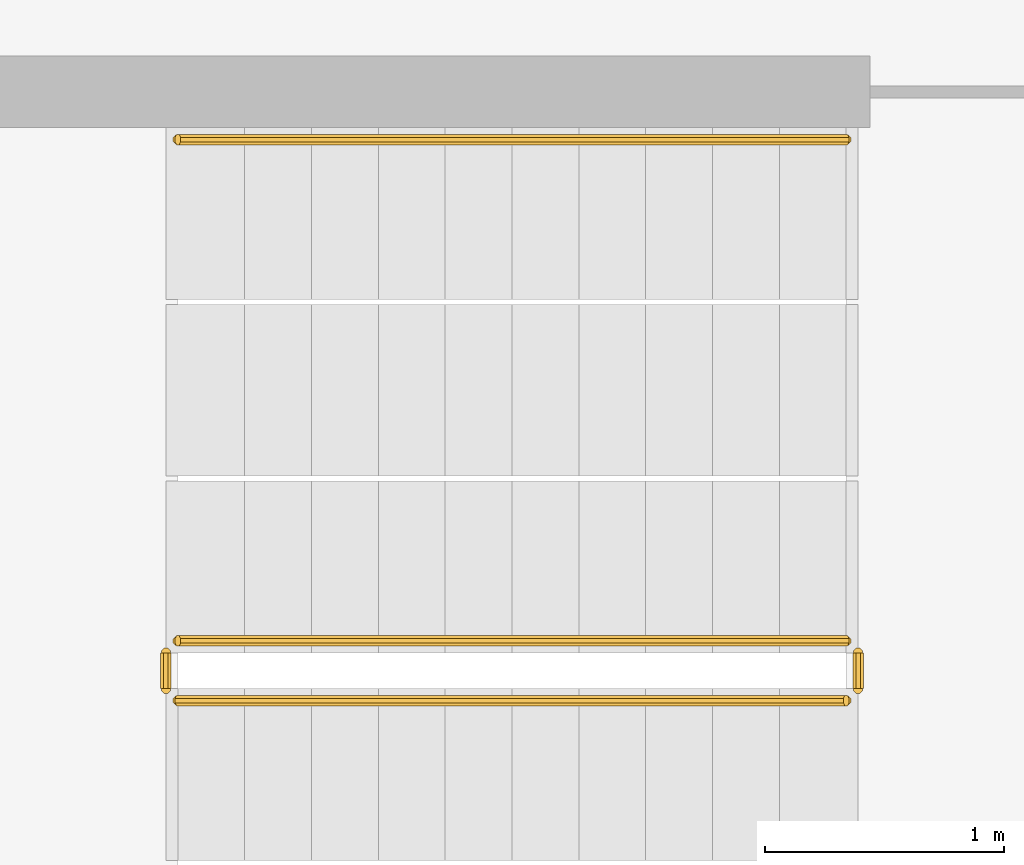
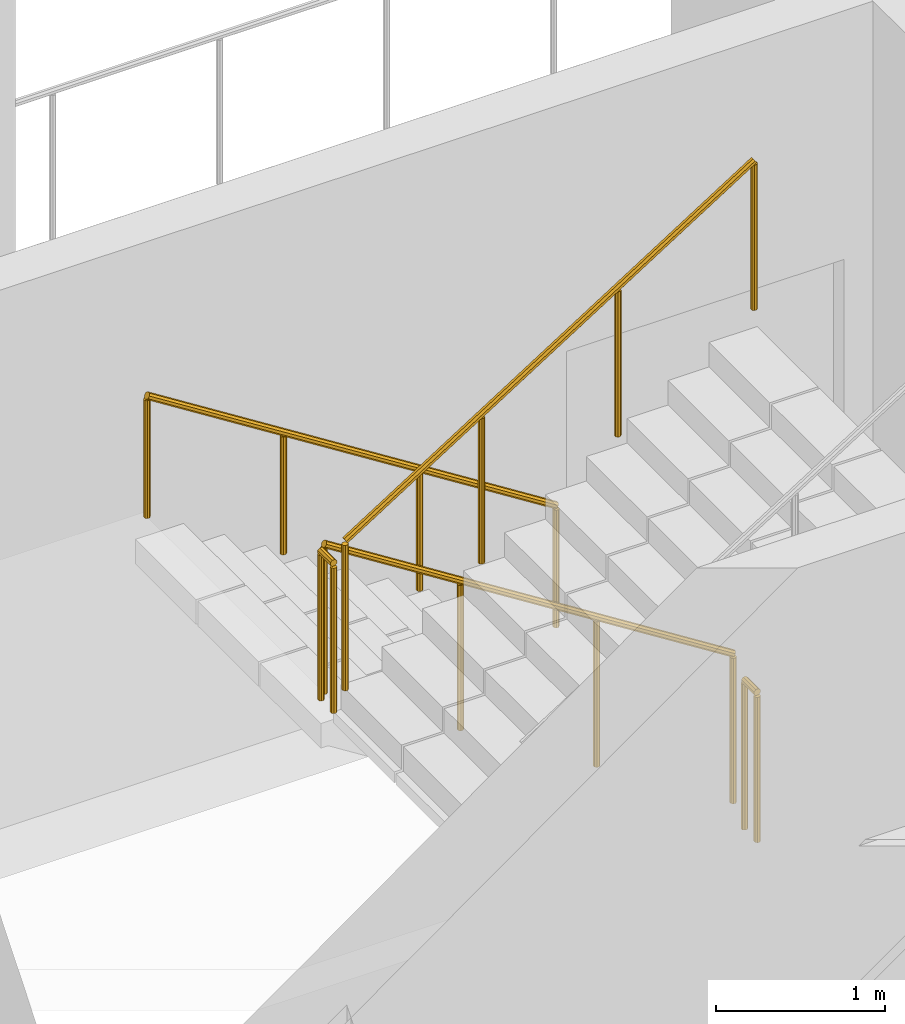
# One storey, part 20 of 27: 5 railings.
"""IFC4 building model written with IfcOpenShell, lengths in metres."""

from ifc_helpers import new_model, si_unit, direction, frame, origin, place, context, subcontext, project, spatial, polyline, outline, extrude, material, type_object, element, save


model = new_model("IFC4")

# Units and contexts
model_context = context("Model", 3, precision=1e-05, world=origin(), true_north=direction((0.0, 1.0)))
body_context = subcontext(model_context, "Body", "Model", "MODEL_VIEW")
ifc_project = project(units=[si_unit("LENGTHUNIT", "METRE"), si_unit("AREAUNIT", "SQUARE_METRE"), si_unit("VOLUMEUNIT", "CUBIC_METRE"), si_unit("PLANEANGLEUNIT", "RADIAN"), si_unit("MASSUNIT", "GRAM", prefix="KILO")], contexts=[model_context])

# Site, building, storey
site_placement = place(None, origin())
site = spatial("IfcSite", under=ifc_project, at=site_placement, CompositionType="ELEMENT")
building_placement = place(site_placement, origin())
building = spatial("IfcBuilding", under=site, at=building_placement, Name="Cormorant Relay Tower", CompositionType="ELEMENT")
storey_placement = place(building_placement, frame((0.0, 0.0, 240.300048828125)))
storey = spatial("IfcBuildingStorey", under=building, at=storey_placement, Name="L53", CompositionType="ELEMENT", Elevation=240.300048828125)

# Railings
ifc_material_1 = material(Name="Steel ASTM A572 Grade 50 (Fy 345 MPa)", Category="steel")
railing_type_1 = type_object("IfcRailingType", Name="Stair guard 1100", PredefinedType="GUARDRAIL", material=ifc_material_1)
railing_1_placement = place(storey_placement, frame((1.60009765625, -18.27490234375, 0.17724609375)))
element("IfcRailing", 1, at=railing_1_placement, inside=storey, type_object=railing_type_1, Name="L53 RK1 stair guard 1", PredefinedType="GUARDRAIL", context=body_context, shape_type="SweptSolid", body=[
    extrude(outline(polyline([(0.022216796875, 0.00927734375), (0.00927734375, 0.022216796875), (-0.00927734375, 0.022216796875), (-0.022216796875, 0.00927734375), (-0.022216796875, -0.00927734375), (-0.00927734375, -0.022216796875), (0.00927734375, -0.022216796875), (0.022216796875, -0.00927734375), (0.022216796875, 0.00927734375)])), frame((0.0, 0.0, 1.076171875), z_axis=(-0.844908973607, 0.0, 0.534910110503), x_axis=(0.0, -1.0, 0.0)), (0.0, 0.0, 1.0), 3.31396484375),
    extrude(outline(polyline([(0.019287109375, 0.008056640625), (0.008056640625, 0.019287109375), (-0.008056640625, 0.019287109375), (-0.019287109375, 0.008056640625), (-0.019287109375, -0.008056640625), (-0.008056640625, -0.019287109375), (0.008056640625, -0.019287109375), (0.019287109375, -0.008056640625), (0.019287109375, 0.008056640625)])), origin(), (0.0, 0.0, 1.0), 1.052001953125),
    extrude(outline(polyline([(0.019287109375, 0.008056640625), (0.008056640625, 0.019287109375), (-0.008056640625, 0.019287109375), (-0.019287109375, 0.008056640625), (-0.019287109375, -0.008056640625), (-0.008056640625, -0.019287109375), (0.008056640625, -0.019287109375), (0.019287109375, -0.008056640625), (0.019287109375, 0.008056640625)])), frame((-0.933349609375, 0.0, 0.5908203125)), (0.0, 0.0, 1.0), 1.052001953125),
    extrude(outline(polyline([(0.019287109375, 0.008056640625), (0.008056640625, 0.019287109375), (-0.008056640625, 0.019287109375), (-0.019287109375, 0.008056640625), (-0.019287109375, -0.008056640625), (-0.008056640625, -0.019287109375), (0.008056640625, -0.019287109375), (0.019287109375, -0.008056640625), (0.019287109375, 0.008056640625)])), frame((-1.86669921875, 0.0, 1.181884765625)), (0.0, 0.0, 1.0), 1.052001953125),
    extrude(outline(polyline([(0.019287109375, 0.008056640625), (0.008056640625, 0.019287109375), (-0.008056640625, 0.019287109375), (-0.019287109375, 0.008056640625), (-0.019287109375, -0.008056640625), (-0.008056640625, -0.019287109375), (0.008056640625, -0.019287109375), (0.019287109375, -0.008056640625), (0.019287109375, 0.008056640625)])), frame((-2.800048828125, 0.0, 1.772705078125)), (0.0, 0.0, 1.0), 1.052001953125),
])
railing_2_placement = place(storey_placement, frame((-1.25, -18.324951171875, 1.949951171875)))
element("IfcRailing", 2, at=railing_2_placement, inside=storey, type_object=railing_type_1, Name="L53 RK1 stair guard 2", PredefinedType="GUARDRAIL", context=body_context, shape_type="SweptSolid", body=[
    extrude(outline(polyline([(0.022216796875, 0.00927734375), (0.00927734375, 0.022216796875), (-0.00927734375, 0.022216796875), (-0.022216796875, 0.00927734375), (-0.022216796875, -0.00927734375), (-0.00927734375, -0.022216796875), (0.00927734375, -0.022216796875), (0.022216796875, -0.00927734375), (0.022216796875, 0.00927734375)])), frame((0.0, 0.0, 1.076171875), z_axis=(0.0, -1.0, 0.0), x_axis=(1.0, 0.0, 0.0)), (0.0, 0.0, 1.0), 0.150146484375),
    extrude(outline(polyline([(0.019287109375, 0.008056640625), (0.008056640625, 0.019287109375), (-0.008056640625, 0.019287109375), (-0.019287109375, 0.008056640625), (-0.019287109375, -0.008056640625), (-0.008056640625, -0.019287109375), (0.008056640625, -0.019287109375), (0.019287109375, -0.008056640625), (0.019287109375, 0.008056640625)])), origin(), (0.0, 0.0, 1.0), 1.052001953125),
    extrude(outline(polyline([(0.019287109375, 0.008056640625), (0.008056640625, 0.019287109375), (-0.008056640625, 0.019287109375), (-0.019287109375, 0.008056640625), (-0.019287109375, -0.008056640625), (-0.008056640625, -0.019287109375), (0.008056640625, -0.019287109375), (0.019287109375, -0.008056640625), (0.019287109375, 0.008056640625)])), frame((0.0, -0.150146484375, 0.0)), (0.0, 0.0, 1.0), 1.052001953125),
])
railing_3_placement = place(storey_placement, frame((-1.199951171875, -18.52490234375, 2.127197265625)))
element("IfcRailing", 3, at=railing_3_placement, inside=storey, type_object=railing_type_1, Name="L53 RK1 stair guard 3", PredefinedType="GUARDRAIL", context=body_context, shape_type="SweptSolid", body=[
    extrude(outline(polyline([(0.022216796875, 0.00927734375), (0.00927734375, 0.022216796875), (-0.00927734375, 0.022216796875), (-0.022216796875, 0.00927734375), (-0.022216796875, -0.00927734375), (-0.00927734375, -0.022216796875), (0.00927734375, -0.022216796875), (0.022216796875, -0.00927734375), (0.022216796875, 0.00927734375)])), frame((0.0, 0.0, 1.076171875), z_axis=(0.844908973607, 0.0, 0.534910110503), x_axis=(0.0, 1.0, 0.0)), (0.0, 0.0, 1.0), 3.31396484375),
    extrude(outline(polyline([(0.019287109375, 0.008056640625), (0.008056640625, 0.019287109375), (-0.008056640625, 0.019287109375), (-0.019287109375, 0.008056640625), (-0.019287109375, -0.008056640625), (-0.008056640625, -0.019287109375), (0.008056640625, -0.019287109375), (0.019287109375, -0.008056640625), (0.019287109375, 0.008056640625)])), origin(), (0.0, 0.0, 1.0), 1.052001953125),
    extrude(outline(polyline([(0.019287109375, 0.008056640625), (0.008056640625, 0.019287109375), (-0.008056640625, 0.019287109375), (-0.019287109375, 0.008056640625), (-0.019287109375, -0.008056640625), (-0.008056640625, -0.019287109375), (0.008056640625, -0.019287109375), (0.019287109375, -0.008056640625), (0.019287109375, 0.008056640625)])), frame((0.933349609375, 0.0, 0.5908203125)), (0.0, 0.0, 1.0), 1.052001953125),
    extrude(outline(polyline([(0.019287109375, 0.008056640625), (0.008056640625, 0.019287109375), (-0.008056640625, 0.019287109375), (-0.019287109375, 0.008056640625), (-0.019287109375, -0.008056640625), (-0.008056640625, -0.019287109375), (0.008056640625, -0.019287109375), (0.019287109375, -0.008056640625), (0.019287109375, 0.008056640625)])), frame((1.86669921875, 0.0, 1.181884765625)), (0.0, 0.0, 1.0), 1.052001953125),
    extrude(outline(polyline([(0.019287109375, 0.008056640625), (0.008056640625, 0.019287109375), (-0.008056640625, 0.019287109375), (-0.019287109375, 0.008056640625), (-0.019287109375, -0.008056640625), (-0.008056640625, -0.019287109375), (0.008056640625, -0.019287109375), (0.019287109375, -0.008056640625), (0.019287109375, 0.008056640625)])), frame((2.800048828125, 0.0, 1.772705078125)), (0.0, 0.0, 1.0), 1.052001953125),
])
railing_4_placement = place(storey_placement, frame((1.64990234375, -18.324951171875, 0.0)))
element("IfcRailing", 4, at=railing_4_placement, inside=storey, type_object=railing_type_1, Name="L53 RK1 stair guard 4", PredefinedType="GUARDRAIL", context=body_context, shape_type="SweptSolid", body=[
    extrude(outline(polyline([(0.022216796875, 0.00927734375), (0.00927734375, 0.022216796875), (-0.00927734375, 0.022216796875), (-0.022216796875, 0.00927734375), (-0.022216796875, -0.00927734375), (-0.00927734375, -0.022216796875), (0.00927734375, -0.022216796875), (0.022216796875, -0.00927734375), (0.022216796875, 0.00927734375)])), frame((0.0, 0.0, 1.076171875), z_axis=(0.0, -1.0, 0.0), x_axis=(1.0, 0.0, 0.0)), (0.0, 0.0, 1.0), 0.150146484375),
    extrude(outline(polyline([(0.019287109375, 0.008056640625), (0.008056640625, 0.019287109375), (-0.008056640625, 0.019287109375), (-0.019287109375, 0.008056640625), (-0.019287109375, -0.008056640625), (-0.008056640625, -0.019287109375), (0.008056640625, -0.019287109375), (0.019287109375, -0.008056640625), (0.019287109375, 0.008056640625)])), origin(), (0.0, 0.0, 1.0), 1.052001953125),
    extrude(outline(polyline([(0.019287109375, 0.008056640625), (0.008056640625, 0.019287109375), (-0.008056640625, 0.019287109375), (-0.019287109375, 0.008056640625), (-0.019287109375, -0.008056640625), (-0.008056640625, -0.019287109375), (0.008056640625, -0.019287109375), (0.019287109375, -0.008056640625), (0.019287109375, 0.008056640625)])), frame((0.0, -0.150146484375, 0.0)), (0.0, 0.0, 1.0), 1.052001953125),
])
ifc_material_2 = material(Name="Steel ASTM A572 Grade 50 (Fy 345 MPa)", Category="steel")
railing_type_2 = type_object("IfcRailingType", Name="Stair handrail 900", PredefinedType="HANDRAIL", material=ifc_material_2)
railing_5_placement = place(storey_placement, frame((1.60009765625, -16.175048828125, 0.17724609375)))
element("IfcRailing", 5, at=railing_5_placement, inside=storey, type_object=railing_type_2, Name="L53 RK1 stair handrail 1", PredefinedType="HANDRAIL", context=body_context, shape_type="SweptSolid", body=[
    extrude(outline(polyline([(0.022216796875, 0.00927734375), (0.00927734375, 0.022216796875), (-0.00927734375, 0.022216796875), (-0.022216796875, 0.00927734375), (-0.022216796875, -0.00927734375), (-0.00927734375, -0.022216796875), (0.00927734375, -0.022216796875), (0.022216796875, -0.00927734375), (0.022216796875, 0.00927734375)])), frame((0.0, 0.0, 0.8759765625), z_axis=(-0.844908973607, 0.0, 0.534910110503), x_axis=(0.0, -1.0, 0.0)), (0.0, 0.0, 1.0), 3.31396484375),
    extrude(outline(polyline([(0.019287109375, 0.008056640625), (0.008056640625, 0.019287109375), (-0.008056640625, 0.019287109375), (-0.019287109375, 0.008056640625), (-0.019287109375, -0.008056640625), (-0.008056640625, -0.019287109375), (0.008056640625, -0.019287109375), (0.019287109375, -0.008056640625), (0.019287109375, 0.008056640625)])), origin(), (0.0, 0.0, 1.0), 0.851806640625),
    extrude(outline(polyline([(0.019287109375, 0.008056640625), (0.008056640625, 0.019287109375), (-0.008056640625, 0.019287109375), (-0.019287109375, 0.008056640625), (-0.019287109375, -0.008056640625), (-0.008056640625, -0.019287109375), (0.008056640625, -0.019287109375), (0.019287109375, -0.008056640625), (0.019287109375, 0.008056640625)])), frame((-0.933349609375, 0.0, 0.5908203125)), (0.0, 0.0, 1.0), 0.851806640625),
    extrude(outline(polyline([(0.019287109375, 0.008056640625), (0.008056640625, 0.019287109375), (-0.008056640625, 0.019287109375), (-0.019287109375, 0.008056640625), (-0.019287109375, -0.008056640625), (-0.008056640625, -0.019287109375), (0.008056640625, -0.019287109375), (0.019287109375, -0.008056640625), (0.019287109375, 0.008056640625)])), frame((-1.86669921875, 0.0, 1.181884765625)), (0.0, 0.0, 1.0), 0.851806640625),
    extrude(outline(polyline([(0.019287109375, 0.008056640625), (0.008056640625, 0.019287109375), (-0.008056640625, 0.019287109375), (-0.019287109375, 0.008056640625), (-0.019287109375, -0.008056640625), (-0.008056640625, -0.019287109375), (0.008056640625, -0.019287109375), (0.019287109375, -0.008056640625), (0.019287109375, 0.008056640625)])), frame((-2.800048828125, 0.0, 1.772705078125)), (0.0, 0.0, 1.0), 0.851806640625),
])

save(model, "model.ifc")
